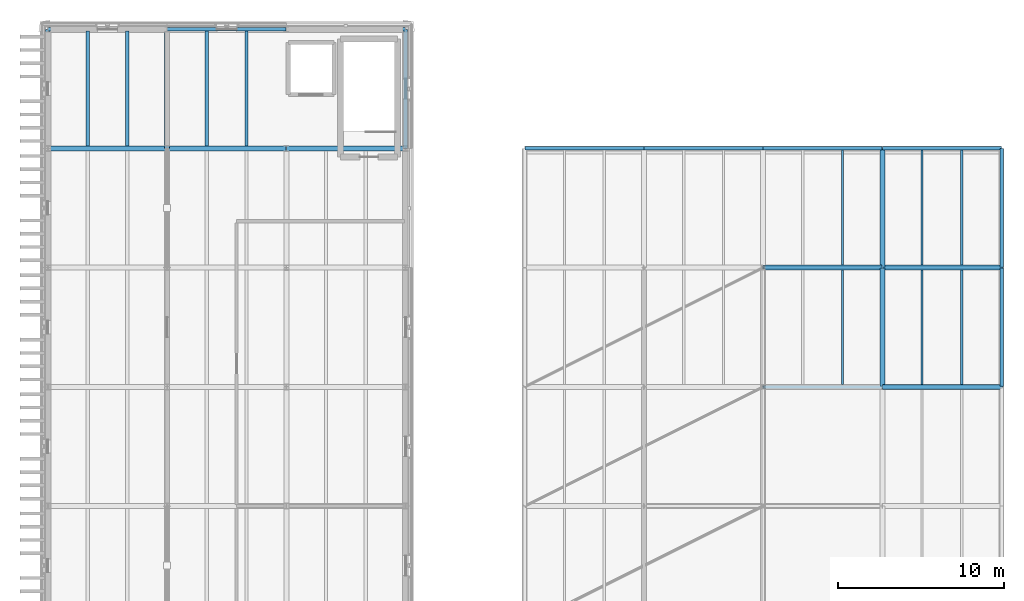
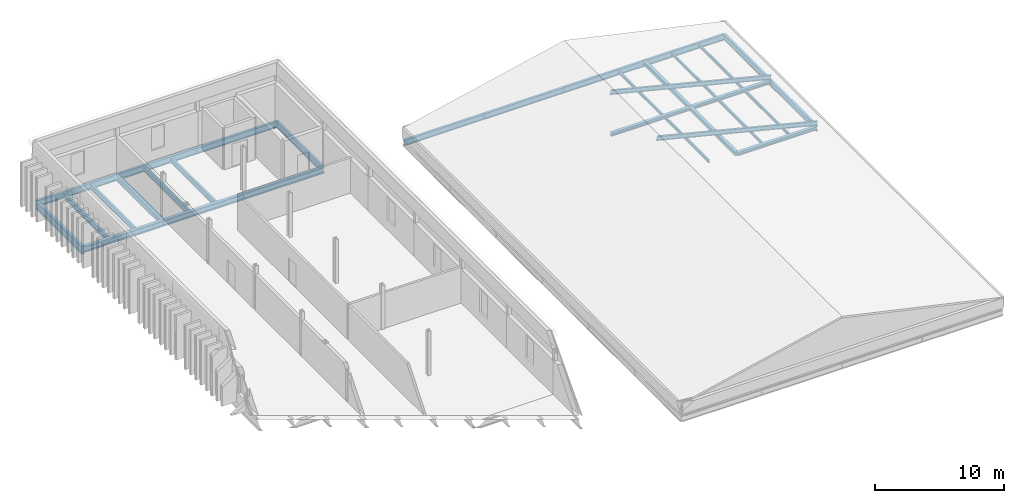
# One storey, part 10 of 44: 30 beams, 2 members.
"""IFC4 building model written with IfcOpenShell, lengths in metres."""

from ifc_helpers import new_model, si_unit, direction, frame, origin, origin_2d, place, context, subcontext, project, spatial, i_section, extrude, material, material_profile, profile_set, type_object, element, save


model = new_model("IFC4")

# Units and contexts
model_context = context("Model", 3, precision=1e-05, world=origin(), true_north=direction((0.0, 1.0)))
body_context = subcontext(model_context, "Body", "Model", "MODEL_VIEW")
ifc_project = project(units=[si_unit("LENGTHUNIT", "METRE"), si_unit("AREAUNIT", "SQUARE_METRE"), si_unit("VOLUMEUNIT", "CUBIC_METRE"), si_unit("PLANEANGLEUNIT", "RADIAN"), si_unit("MASSUNIT", "GRAM", prefix="KILO")], contexts=[model_context])

# Site, building, storey
site_placement = place(None, origin())
site = spatial("IfcSite", under=ifc_project, at=site_placement, CompositionType="ELEMENT")
building_placement = place(site_placement, origin())
building = spatial("IfcBuilding", under=site, at=building_placement, Name="Narikvali Park Central Library", CompositionType="ELEMENT")
storey_placement = place(building_placement, frame((0.0, 0.0, 22.800048828125)))
storey = spatial("IfcBuildingStorey", under=building, at=storey_placement, Name="L05", CompositionType="ELEMENT", Elevation=22.800048828125)

# Beams
ifc_material = material(Name="Steel S355", Category="steel")
ifc_material_profile_1 = material_profile(ifc_material, i_section(OverallWidth=0.135009765625, OverallDepth=0.27001953125, WebThickness=0.006591796875, FlangeThickness=0.01025390625, FilletRadius=0.014892578125, at=origin_2d()), Name="IPE 270")
ifc_profile_set_1 = profile_set([ifc_material_profile_1], Name="Steel S355")
beam_type_1 = type_object("IfcBeamType", Name="Composite Floor Joist IPE270", PredefinedType="JOIST", material=ifc_profile_set_1)
beam_1_placement = place(storey_placement, frame((48.0, 86.550048828125, -0.375), z_axis=(0.0, 1.0, 0.0), x_axis=(-1.0, 0.0, 0.0)))
element("IfcBeam", 1, at=beam_1_placement, inside=storey, type_object=beam_type_1, Name="V4 L05 Composite Joist 2", PredefinedType="JOIST", context=body_context, shape_type="SweptSolid", body=[
    extrude(i_section(OverallWidth=0.135009765625, OverallDepth=0.27001953125, WebThickness=0.006591796875, FlangeThickness=0.01025390625, FilletRadius=0.014892578125, at=origin_2d()), origin(), (0.0, 0.0, 1.0), 6.89990234375),
])
beam_2_placement = place(storey_placement, frame((48.0, 93.75, -0.375), z_axis=(0.0, 1.0, 0.0), x_axis=(-1.0, 0.0, 0.0)))
element("IfcBeam", 2, at=beam_2_placement, inside=storey, type_object=beam_type_1, Name="V4 L05 Composite Joist 2", PredefinedType="JOIST", context=body_context, shape_type="SweptSolid", body=[
    extrude(i_section(OverallWidth=0.135009765625, OverallDepth=0.27001953125, WebThickness=0.006591796875, FlangeThickness=0.01025390625, FilletRadius=0.014892578125, at=origin_2d()), origin(), (0.0, 0.0, 1.0), 6.945068359375),
])
for number, where, z_axis, x_axis, name in (
    (3, (52.800048828125, 86.550048828125, -0.375), (0.0, 1.0, 0.0), (-1.0, 0.0, 0.0), "V4 L05 Composite Joist 1"),
    (4, (55.199951171875, 86.550048828125, -0.375), (0.0, 1.0, 0.0), (-1.0, 0.0, 0.0), "V4 L05 Composite Joist 2"),
):
    element("IfcBeam", number, at=place(storey_placement, frame(where, z_axis=z_axis, x_axis=x_axis)), inside=storey, type_object=beam_type_1, Name=name, PredefinedType="JOIST", context=body_context, shape_type="SweptSolid", body=[
        extrude(i_section(OverallWidth=0.135009765625, OverallDepth=0.27001953125, WebThickness=0.006591796875, FlangeThickness=0.01025390625, FilletRadius=0.014892578125, at=origin_2d()), origin(), (0.0, 0.0, 1.0), 6.89990234375),
    ])
for number, where, z_axis, x_axis, name in (
    (5, (52.800048828125, 93.75, -0.375), (0.0, 1.0, 0.0), (-1.0, 0.0, 0.0), "V4 L05 Composite Joist 1"),
    (6, (55.199951171875, 93.75, -0.375), (0.0, 1.0, 0.0), (-1.0, 0.0, 0.0), "V4 L05 Composite Joist 2"),
):
    element("IfcBeam", number, at=place(storey_placement, frame(where, z_axis=z_axis, x_axis=x_axis)), inside=storey, type_object=beam_type_1, Name=name, PredefinedType="JOIST", context=body_context, shape_type="SweptSolid", body=[
        extrude(i_section(OverallWidth=0.135009765625, OverallDepth=0.27001953125, WebThickness=0.006591796875, FlangeThickness=0.01025390625, FilletRadius=0.014892578125, at=origin_2d()), origin(), (0.0, 0.0, 1.0), 6.945068359375),
    ])
ifc_material_profile_2 = material_profile(ifc_material, i_section(OverallWidth=0.199951171875, OverallDepth=0.5, WebThickness=0.01025390625, FlangeThickness=0.01611328125, FilletRadius=0.02099609375, at=origin_2d()), Name="IPE 500")
ifc_profile_set_2 = profile_set([ifc_material_profile_2], Name="Steel S355")
beam_type_2 = type_object("IfcBeamType", Name="Composite Floor Joist IPE500", PredefinedType="JOIST", material=ifc_profile_set_2)
for number, where, z_axis, x_axis, name in (
    (7, (2.39990234375, 100.949951171875, -0.510009765625), (0.0, 1.0, 0.0), (-1.0, 0.0, 0.0), "V5 L05 Composite Joist 1"),
    (8, (4.800048828125, 100.949951171875, -0.510009765625), (0.0, 1.0, 0.0), (-1.0, 0.0, 0.0), "V5 L05 Composite Joist 2"),
    (9, (9.60009765625, 100.949951171875, -0.510009765625), (0.0, 1.0, 0.0), (-1.0, 0.0, 0.0), "V5 L05 Composite Joist 1"),
    (10, (12.0, 100.949951171875, -0.510009765625), (0.0, 1.0, 0.0), (-1.0, 0.0, 0.0), "V5 L05 Composite Joist 2"),
):
    element("IfcBeam", number, at=place(storey_placement, frame(where, z_axis=z_axis, x_axis=x_axis)), inside=storey, type_object=beam_type_2, Name=name, PredefinedType="JOIST", context=body_context, shape_type="SweptSolid", body=[
        extrude(i_section(OverallWidth=0.199951171875, OverallDepth=0.5, WebThickness=0.01025390625, FlangeThickness=0.01611328125, FilletRadius=0.02099609375, at=origin_2d()), origin(), (0.0, 0.0, 1.0), 6.93994140625),
    ])
ifc_material_profile_3 = material_profile(ifc_material, i_section(OverallWidth=0.264892578125, OverallDepth=0.7529296875, WebThickness=0.01318359375, FlangeThickness=0.01708984375, FilletRadius=0.01708984375, at=origin_2d()), Name="IPE 750x147")
ifc_profile_set_3 = profile_set([ifc_material_profile_3], Name="Steel S355")
beam_type_3 = type_object("IfcBeamType", Name="Fin Facade Spandrel IPE750", PredefinedType="SPANDREL", material=ifc_profile_set_3)
beam_3_placement = place(storey_placement, frame((0.0, 100.80810546875, -0.636474609375), z_axis=(0.0, 1.0, 0.0), x_axis=(-1.0, 0.0, 0.0)))
element("IfcBeam", 11, at=beam_3_placement, inside=storey, type_object=beam_type_3, Name="V5 L05 Girder Y", PredefinedType="SPANDREL", context=body_context, shape_type="SweptSolid", body=[
    extrude(i_section(OverallWidth=0.264892578125, OverallDepth=0.7529296875, WebThickness=0.01318359375, FlangeThickness=0.01708984375, FilletRadius=0.01708984375, at=origin_2d()), origin(), (0.0, 0.0, 1.0), 7.183837890625),
])

# Members
ifc_material_profile_4 = material_profile(ifc_material, i_section(OverallWidth=0.179931640625, OverallDepth=0.39990234375, WebThickness=0.008544921875, FlangeThickness=0.013427734375, FilletRadius=0.02099609375, at=origin_2d()), Name="IPE 400")
ifc_profile_set_4 = profile_set([ifc_material_profile_4], Name="Steel S355")
member_type = type_object("IfcMemberType", Name="Long-Span Pavilion Rafter IPE400", PredefinedType="RAFTER", material=ifc_profile_set_4)
for number, where, z_axis, x_axis, name in (
    (12, (43.199951171875, 86.39990234375, 3.599853515625), (0.970145402643, 0.0, -0.24252401475), (0.0, 1.0, 0.0), "V4 Roof Rafter E 4"),
    (13, (43.199951171875, 93.60009765625, 3.599853515625), (0.970145402643, 0.0, -0.24252401475), (0.0, 1.0, 0.0), "V4 Roof Rafter E 5"),
):
    element("IfcMember", number, at=place(storey_placement, frame(where, z_axis=z_axis, x_axis=x_axis)), inside=storey, type_object=member_type, Name=name, PredefinedType="RAFTER", context=body_context, shape_type="SweptSolid", body=[
        extrude(i_section(OverallWidth=0.179931640625, OverallDepth=0.39990234375, WebThickness=0.008544921875, FlangeThickness=0.013427734375, FilletRadius=0.02099609375, at=origin_2d()), origin(), (0.0, 0.0, 1.0), 14.84326171875),
    ])

# Beams
ifc_material_profile_5 = material_profile(ifc_material, i_section(OverallWidth=0.2099609375, OverallDepth=0.550048828125, WebThickness=0.010986328125, FlangeThickness=0.01708984375, FilletRadius=0.02392578125, at=origin_2d()), Name="IPE 550")
ifc_profile_set_5 = profile_set([ifc_material_profile_5], Name="Steel S355")
beam_type_4 = type_object("IfcBeamType", Name="Perimeter Spandrel IPE550", PredefinedType="SPANDREL", material=ifc_profile_set_5)
for number, where, z_axis, x_axis, name in (
    (14, (28.80810546875, 100.800048828125, -0.51513671875), (1.0, 0.0, 0.0), (0.0, 1.0, 0.0), "V4 L05 Girder X"),
    (15, (36.008056640625, 100.800048828125, -0.51513671875), (1.0, 0.0, 0.0), (0.0, 1.0, 0.0), "V4 L05 Girder X"),
):
    element("IfcBeam", number, at=place(storey_placement, frame(where, z_axis=z_axis, x_axis=x_axis)), inside=storey, type_object=beam_type_4, Name=name, PredefinedType="SPANDREL", context=body_context, shape_type="SweptSolid", body=[
        extrude(i_section(OverallWidth=0.2099609375, OverallDepth=0.550048828125, WebThickness=0.010986328125, FlangeThickness=0.01708984375, FilletRadius=0.02392578125, at=origin_2d()), origin(), (0.0, 0.0, 1.0), 7.183837890625),
    ])
for number, where, z_axis, x_axis, name in (
    (16, (43.2080078125, 100.800048828125, -0.51513671875), (1.0, 0.0, 0.0), (0.0, 1.0, 0.0), "V4 L05 Girder X"),
    (17, (50.407958984375, 100.800048828125, -0.51513671875), (1.0, 0.0, 0.0), (0.0, 1.0, 0.0), "V4 L05 Girder X"),
    (18, (57.60009765625, 86.407958984375, -0.51513671875), (0.0, 1.0, 0.0), (-1.0, 0.0, 0.0), "V4 L05 Girder Y"),
    (19, (57.60009765625, 93.60791015625, -0.51513671875), (0.0, 1.0, 0.0), (-1.0, 0.0, 0.0), "V4 L05 Girder Y"),
):
    element("IfcBeam", number, at=place(storey_placement, frame(where, z_axis=z_axis, x_axis=x_axis)), inside=storey, type_object=beam_type_4, Name=name, PredefinedType="SPANDREL", context=body_context, shape_type="SweptSolid", body=[
        extrude(i_section(OverallWidth=0.2099609375, OverallDepth=0.550048828125, WebThickness=0.010986328125, FlangeThickness=0.01708984375, FilletRadius=0.02392578125, at=origin_2d()), origin(), (0.0, 0.0, 1.0), 7.18408203125),
    ])
ifc_material_profile_6 = material_profile(ifc_material, i_section(OverallWidth=0.219970703125, OverallDepth=0.60009765625, WebThickness=0.011962890625, FlangeThickness=0.01904296875, FilletRadius=0.02392578125, at=origin_2d()), Name="IPE 600")
ifc_profile_set_6 = profile_set([ifc_material_profile_6], Name="Steel S355")
beam_type_5 = type_object("IfcBeamType", Name="Perimeter Spandrel IPE600", PredefinedType="SPANDREL", material=ifc_profile_set_6)
beam_4_placement = place(storey_placement, frame((0.008056640625, 108.0, -0.56005859375), z_axis=(1.0, 0.0, 0.0), x_axis=(0.0, 1.0, 0.0)))
element("IfcBeam", 20, at=beam_4_placement, inside=storey, type_object=beam_type_5, Name="V5 L05 Girder X", PredefinedType="SPANDREL", context=body_context, shape_type="SweptSolid", body=[
    extrude(i_section(OverallWidth=0.219970703125, OverallDepth=0.60009765625, WebThickness=0.011962890625, FlangeThickness=0.01904296875, FilletRadius=0.02392578125, at=origin_2d()), origin(), (0.0, 0.0, 1.0), 7.183837890625),
])
for number, where, z_axis, x_axis, name in (
    (21, (7.2080078125, 108.0, -0.56005859375), (1.0, 0.0, 0.0), (0.0, 1.0, 0.0), "V5 L05 Girder X"),
    (22, (14.407958984375, 108.0, -0.56005859375), (1.0, 0.0, 0.0), (0.0, 1.0, 0.0), "V5 L05 Girder X"),
):
    element("IfcBeam", number, at=place(storey_placement, frame(where, z_axis=z_axis, x_axis=x_axis)), inside=storey, type_object=beam_type_5, Name=name, PredefinedType="SPANDREL", context=body_context, shape_type="SweptSolid", body=[
        extrude(i_section(OverallWidth=0.219970703125, OverallDepth=0.60009765625, WebThickness=0.011962890625, FlangeThickness=0.01904296875, FilletRadius=0.02392578125, at=origin_2d()), origin(), (0.0, 0.0, 1.0), 7.18408203125),
    ])
beam_5_placement = place(storey_placement, frame((21.60009765625, 100.80810546875, -0.56005859375), z_axis=(0.0, 1.0, 0.0), x_axis=(-1.0, 0.0, 0.0)))
element("IfcBeam", 23, at=beam_5_placement, inside=storey, type_object=beam_type_5, Name="V5 L05 Girder Y", PredefinedType="SPANDREL", context=body_context, shape_type="SweptSolid", body=[
    extrude(i_section(OverallWidth=0.219970703125, OverallDepth=0.60009765625, WebThickness=0.011962890625, FlangeThickness=0.01904296875, FilletRadius=0.02392578125, at=origin_2d()), origin(), (0.0, 0.0, 1.0), 7.183837890625),
])
ifc_material_profile_7 = material_profile(ifc_material, i_section(OverallWidth=0.300048828125, OverallDepth=0.31005859375, WebThickness=0.009033203125, FlangeThickness=0.015380859375, FilletRadius=0.027099609375, at=origin_2d()), Name="HEA 320")
ifc_profile_set_7 = profile_set([ifc_material_profile_7], Name="Steel S355")
beam_type_6 = type_object("IfcBeamType", Name="Primary Girder HEA320", PredefinedType="BEAM", material=ifc_profile_set_7)
for number, where, z_axis, x_axis, name in (
    (24, (50.407958984375, 86.39990234375, -0.39501953125), (1.0, 0.0, 0.0), (0.0, 1.0, 0.0), "V4 L05 Girder X"),
    (25, (43.2080078125, 93.60009765625, -0.39501953125), (1.0, 0.0, 0.0), (0.0, 1.0, 0.0), "V4 L05 Girder X"),
    (26, (50.407958984375, 93.60009765625, -0.39501953125), (1.0, 0.0, 0.0), (0.0, 1.0, 0.0), "V4 L05 Girder X"),
):
    element("IfcBeam", number, at=place(storey_placement, frame(where, z_axis=z_axis, x_axis=x_axis)), inside=storey, type_object=beam_type_6, Name=name, PredefinedType="BEAM", context=body_context, shape_type="SweptSolid", body=[
        extrude(i_section(OverallWidth=0.300048828125, OverallDepth=0.31005859375, WebThickness=0.009033203125, FlangeThickness=0.015380859375, FilletRadius=0.027099609375, at=origin_2d()), origin(), (0.0, 0.0, 1.0), 7.18408203125),
    ])
ifc_material_profile_8 = material_profile(ifc_material, i_section(OverallWidth=0.300048828125, OverallDepth=0.35009765625, WebThickness=0.010009765625, FlangeThickness=0.017578125, FilletRadius=0.027099609375, at=origin_2d()), Name="HEA 360")
ifc_profile_set_8 = profile_set([ifc_material_profile_8], Name="Steel S355")
beam_type_7 = type_object("IfcBeamType", Name="Primary Girder HEA360", PredefinedType="BEAM", material=ifc_profile_set_8)
for number, where, z_axis, x_axis, name in (
    (27, (50.39990234375, 86.407958984375, -0.4150390625), (0.0, 1.0, 0.0), (-1.0, 0.0, 0.0), "V4 L05 Girder Y"),
    (28, (50.39990234375, 93.60791015625, -0.4150390625), (0.0, 1.0, 0.0), (-1.0, 0.0, 0.0), "V4 L05 Girder Y"),
):
    element("IfcBeam", number, at=place(storey_placement, frame(where, z_axis=z_axis, x_axis=x_axis)), inside=storey, type_object=beam_type_7, Name=name, PredefinedType="BEAM", context=body_context, shape_type="SweptSolid", body=[
        extrude(i_section(OverallWidth=0.300048828125, OverallDepth=0.35009765625, WebThickness=0.010009765625, FlangeThickness=0.017578125, FilletRadius=0.027099609375, at=origin_2d()), origin(), (0.0, 0.0, 1.0), 7.18408203125),
    ])
ifc_material_profile_9 = material_profile(ifc_material, i_section(OverallWidth=0.300048828125, OverallDepth=0.5400390625, WebThickness=0.012451171875, FlangeThickness=0.02392578125, FilletRadius=0.027099609375, at=origin_2d()), Name="HEA 550")
ifc_profile_set_9 = profile_set([ifc_material_profile_9], Name="Steel S355")
beam_type_8 = type_object("IfcBeamType", Name="Primary Girder HEA550", PredefinedType="BEAM", material=ifc_profile_set_9)
beam_6_placement = place(storey_placement, frame((7.199951171875, 100.80810546875, -0.530029296875), z_axis=(0.0, 1.0, 0.0), x_axis=(-1.0, 0.0, 0.0)))
element("IfcBeam", 29, at=beam_6_placement, inside=storey, type_object=beam_type_8, Name="V5 L05 Girder Y", PredefinedType="BEAM", context=body_context, shape_type="SweptSolid", body=[
    extrude(i_section(OverallWidth=0.300048828125, OverallDepth=0.5400390625, WebThickness=0.012451171875, FlangeThickness=0.02392578125, FilletRadius=0.027099609375, at=origin_2d()), origin(), (0.0, 0.0, 1.0), 7.183837890625),
])
ifc_material_profile_10 = material_profile(ifc_material, i_section(OverallWidth=0.300048828125, OverallDepth=0.550048828125, WebThickness=0.014892578125, FlangeThickness=0.029052734375, FilletRadius=0.027099609375, at=origin_2d()), Name="HEB 550")
ifc_profile_set_10 = profile_set([ifc_material_profile_10], Name="Steel S355")
beam_type_9 = type_object("IfcBeamType", Name="Primary Stack Girder HEB550", PredefinedType="BEAM", material=ifc_profile_set_10)
beam_7_placement = place(storey_placement, frame((0.008056640625, 100.800048828125, -0.53515625), z_axis=(1.0, 0.0, 0.0), x_axis=(0.0, 1.0, 0.0)))
element("IfcBeam", 30, at=beam_7_placement, inside=storey, type_object=beam_type_9, Name="V5 L05 Girder X", PredefinedType="BEAM", context=body_context, shape_type="SweptSolid", body=[
    extrude(i_section(OverallWidth=0.300048828125, OverallDepth=0.550048828125, WebThickness=0.014892578125, FlangeThickness=0.029052734375, FilletRadius=0.027099609375, at=origin_2d()), origin(), (0.0, 0.0, 1.0), 7.183837890625),
])
for number, where, z_axis, x_axis, name in (
    (31, (7.2080078125, 100.800048828125, -0.53515625), (1.0, 0.0, 0.0), (0.0, 1.0, 0.0), "V5 L05 Girder X"),
    (32, (14.407958984375, 100.800048828125, -0.53515625), (1.0, 0.0, 0.0), (0.0, 1.0, 0.0), "V5 L05 Girder X"),
):
    element("IfcBeam", number, at=place(storey_placement, frame(where, z_axis=z_axis, x_axis=x_axis)), inside=storey, type_object=beam_type_9, Name=name, PredefinedType="BEAM", context=body_context, shape_type="SweptSolid", body=[
        extrude(i_section(OverallWidth=0.300048828125, OverallDepth=0.550048828125, WebThickness=0.014892578125, FlangeThickness=0.029052734375, FilletRadius=0.027099609375, at=origin_2d()), origin(), (0.0, 0.0, 1.0), 7.18408203125),
    ])

save(model, "model.ifc")
